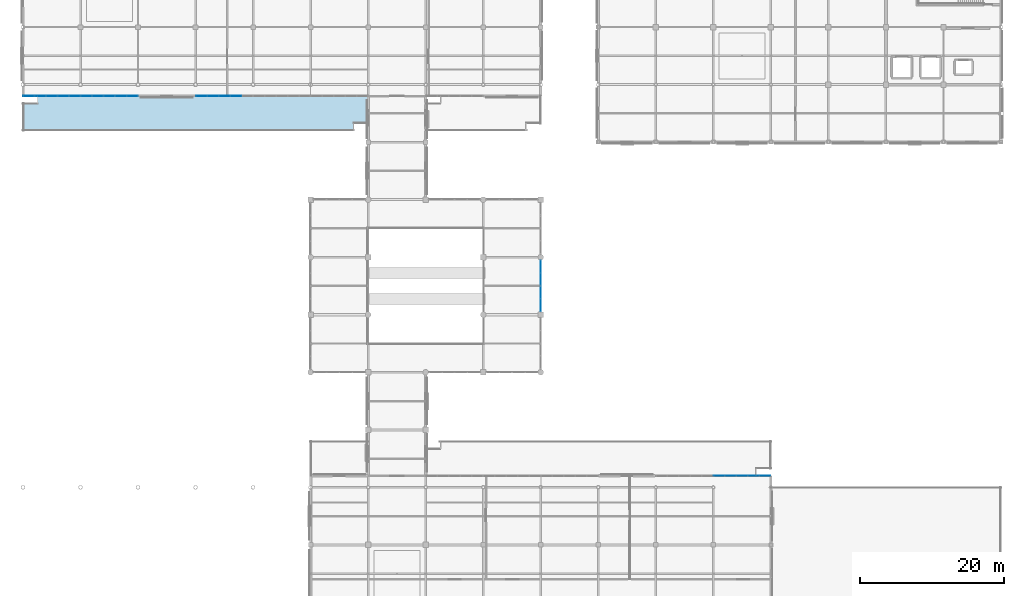
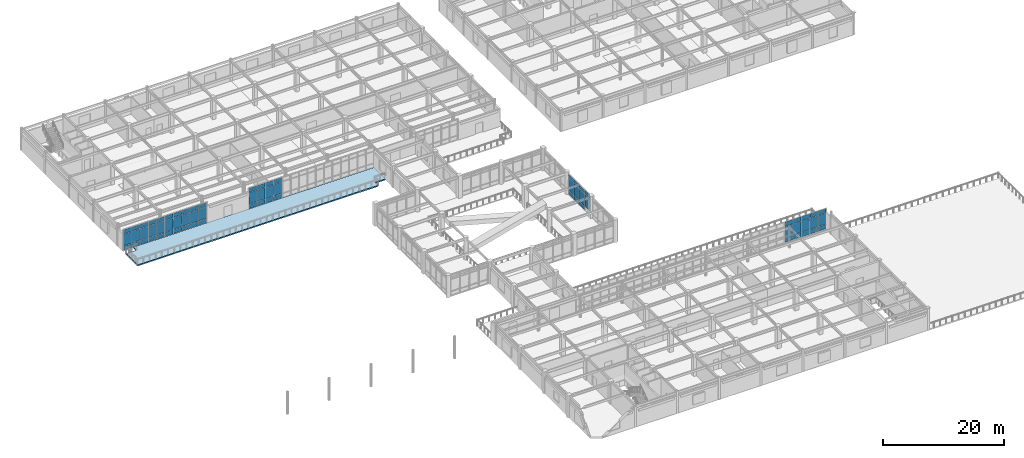
# One storey, part 53 of 93: 68 plates, 1 slab, 5 elements without a shape of their own.
"""IFC4 building model written with IfcOpenShell, lengths in metres."""

from ifc_helpers import new_model, si_unit, direction, frame, origin, origin_2d, place, context, subcontext, project, spatial, polyline, rectangle, outline, extrude, material, layer, layer_set, type_object, element, aggregate, save


model = new_model("IFC4")

# Units and contexts
model_context = context("Model", 3, precision=1e-05, world=origin(), true_north=direction((0.0, 1.0)))
body_context = subcontext(model_context, "Body", "Model", "MODEL_VIEW")
ifc_project = project(units=[si_unit("LENGTHUNIT", "METRE"), si_unit("AREAUNIT", "SQUARE_METRE"), si_unit("VOLUMEUNIT", "CUBIC_METRE"), si_unit("PLANEANGLEUNIT", "RADIAN"), si_unit("MASSUNIT", "GRAM", prefix="KILO")], contexts=[model_context])

# Site, building, storey
site_placement = place(None, origin())
site = spatial("IfcSite", under=ifc_project, at=site_placement, CompositionType="ELEMENT")
building_placement = place(site_placement, origin())
building = spatial("IfcBuilding", under=site, at=building_placement, Name="Solmirada Galleria", CompositionType="ELEMENT")
storey_placement = place(building_placement, frame((0.0, 0.0, 14.89990234375)))
storey = spatial("IfcBuildingStorey", under=building, at=storey_placement, Name="L03", CompositionType="ELEMENT", Elevation=14.89990234375)

# Curtain wall, plates
ifc_material_1 = material(Name="Impact-resistant low-E double glazing", Category="glass")
curtain_wall_type_1 = type_object("IfcCurtainWallType", Name="CW-FZ3-L03-B4-L072", PredefinedType="NOTDEFINED", material=ifc_material_1)
curtain_wall_1_placement = place(storey_placement, origin())
curtain_wall_1 = element("IfcCurtainWall", 1, at=curtain_wall_1_placement, inside=storey, type_object=curtain_wall_type_1, Name="Terrace and arcade storefront CW-L03-132", PredefinedType="NOTDEFINED")
ifc_layer_1 = layer(ifc_material_1, 0.028076171875)
ifc_layer_set_1 = layer_set([ifc_layer_1], Name="Impact-resistant low-E double glazing")
plate_type_1 = type_object("IfcPlateType", Name="CW-PNL-CW27-T28", PredefinedType="CURTAIN_PANEL", material=ifc_layer_set_1)
plate_1_placement = place(storey_placement, frame((112.0, 62.68359375, 0.06005859375), z_axis=(0.0, 0.0, 1.0), x_axis=(0.0, -1.0, 0.0)))
plate_1 = element("IfcPlate", 2, at=plate_1_placement, type_object=plate_type_1, Name="CW27 panel 1.1", PredefinedType="CURTAIN_PANEL", context=body_context, shape_type="SweptSolid", body=[
    extrude(rectangle(XDim=1.708984375, YDim=0.028076171875, at=origin_2d()), origin(), (0.0, 0.0, 1.0), 0.77001953125),
])
plate_2_placement = place(storey_placement, frame((112.0, 62.68359375, 0.89013671875), z_axis=(0.0, 0.0, 1.0), x_axis=(0.0, -1.0, 0.0)))
plate_2 = element("IfcPlate", 3, at=plate_2_placement, type_object=plate_type_1, Name="CW27 panel 1.2", PredefinedType="CURTAIN_PANEL", context=body_context, shape_type="SweptSolid", body=[
    extrude(rectangle(XDim=1.708984375, YDim=0.028076171875, at=origin_2d()), origin(), (0.0, 0.0, 1.0), 2.449951171875),
])
plate_3_placement = place(storey_placement, frame((112.0, 62.68359375, 3.39990234375), z_axis=(0.0, 0.0, 1.0), x_axis=(0.0, -1.0, 0.0)))
plate_3 = element("IfcPlate", 4, at=plate_3_placement, type_object=plate_type_1, Name="CW27 panel 1.3", PredefinedType="CURTAIN_PANEL", context=body_context, shape_type="SweptSolid", body=[
    extrude(rectangle(XDim=1.708984375, YDim=0.028076171875, at=origin_2d()), origin(), (0.0, 0.0, 1.0), 0.760009765625),
])
plate_4_placement = place(storey_placement, frame((112.0, 60.8994140625, 0.06005859375), z_axis=(0.0, 0.0, 1.0), x_axis=(0.0, -1.0, 0.0)))
plate_4 = element("IfcPlate", 5, at=plate_4_placement, type_object=plate_type_1, Name="CW27 panel 2.1", PredefinedType="CURTAIN_PANEL", context=body_context, shape_type="SweptSolid", body=[
    extrude(rectangle(XDim=1.739013671875, YDim=0.028076171875, at=origin_2d()), origin(), (0.0, 0.0, 1.0), 0.77001953125),
])
plate_5_placement = place(storey_placement, frame((112.0, 60.8994140625, 0.89013671875), z_axis=(0.0, 0.0, 1.0), x_axis=(0.0, -1.0, 0.0)))
plate_5 = element("IfcPlate", 6, at=plate_5_placement, type_object=plate_type_1, Name="CW27 panel 2.2", PredefinedType="CURTAIN_PANEL", context=body_context, shape_type="SweptSolid", body=[
    extrude(rectangle(XDim=1.739013671875, YDim=0.028076171875, at=origin_2d()), origin(), (0.0, 0.0, 1.0), 2.449951171875),
])
plate_6_placement = place(storey_placement, frame((112.0, 60.8994140625, 3.39990234375), z_axis=(0.0, 0.0, 1.0), x_axis=(0.0, -1.0, 0.0)))
plate_6 = element("IfcPlate", 7, at=plate_6_placement, type_object=plate_type_1, Name="CW27 panel 2.3", PredefinedType="CURTAIN_PANEL", context=body_context, shape_type="SweptSolid", body=[
    extrude(rectangle(XDim=1.739013671875, YDim=0.028076171875, at=origin_2d()), origin(), (0.0, 0.0, 1.0), 0.760009765625),
])
plate_7_placement = place(storey_placement, frame((112.0, 59.1005859375, 0.06005859375), z_axis=(0.0, 0.0, 1.0), x_axis=(0.0, -1.0, 0.0)))
plate_7 = element("IfcPlate", 8, at=plate_7_placement, type_object=plate_type_1, Name="CW27 panel 3.1", PredefinedType="CURTAIN_PANEL", context=body_context, shape_type="SweptSolid", body=[
    extrude(rectangle(XDim=1.739013671875, YDim=0.028076171875, at=origin_2d()), origin(), (0.0, 0.0, 1.0), 0.77001953125),
])
plate_8_placement = place(storey_placement, frame((112.0, 59.1005859375, 0.89013671875), z_axis=(0.0, 0.0, 1.0), x_axis=(0.0, -1.0, 0.0)))
plate_8 = element("IfcPlate", 9, at=plate_8_placement, type_object=plate_type_1, Name="CW27 panel 3.2", PredefinedType="CURTAIN_PANEL", context=body_context, shape_type="SweptSolid", body=[
    extrude(rectangle(XDim=1.739013671875, YDim=0.028076171875, at=origin_2d()), origin(), (0.0, 0.0, 1.0), 2.449951171875),
])
plate_9_placement = place(storey_placement, frame((112.0, 59.1005859375, 3.39990234375), z_axis=(0.0, 0.0, 1.0), x_axis=(0.0, -1.0, 0.0)))
plate_9 = element("IfcPlate", 10, at=plate_9_placement, type_object=plate_type_1, Name="CW27 panel 3.3", PredefinedType="CURTAIN_PANEL", context=body_context, shape_type="SweptSolid", body=[
    extrude(rectangle(XDim=1.739013671875, YDim=0.028076171875, at=origin_2d()), origin(), (0.0, 0.0, 1.0), 0.760009765625),
])
plate_10_placement = place(storey_placement, frame((112.0, 57.31640625, 0.89013671875), z_axis=(0.0, 0.0, 1.0), x_axis=(0.0, -1.0, 0.0)))
plate_10 = element("IfcPlate", 11, at=plate_10_placement, type_object=plate_type_1, Name="CW27 panel 4.2", PredefinedType="CURTAIN_PANEL", context=body_context, shape_type="SweptSolid", body=[
    extrude(rectangle(XDim=1.708984375, YDim=0.028076171875, at=origin_2d()), origin(), (0.0, 0.0, 1.0), 2.449951171875),
])
plate_11_placement = place(storey_placement, frame((112.0, 57.31640625, 3.39990234375), z_axis=(0.0, 0.0, 1.0), x_axis=(0.0, -1.0, 0.0)))
plate_11 = element("IfcPlate", 12, at=plate_11_placement, type_object=plate_type_1, Name="CW27 panel 4.3", PredefinedType="CURTAIN_PANEL", context=body_context, shape_type="SweptSolid", body=[
    extrude(rectangle(XDim=1.708984375, YDim=0.028076171875, at=origin_2d()), origin(), (0.0, 0.0, 1.0), 0.760009765625),
])
aggregate(curtain_wall_1, [plate_1, plate_2, plate_3, plate_4, plate_5, plate_6, plate_7, plate_8, plate_9, plate_10, plate_11])

curtain_wall_type_2 = type_object("IfcCurtainWallType", Name="CW-FZ4-L03-B5-L080", PredefinedType="NOTDEFINED", material=ifc_material_1)
curtain_wall_2_placement = place(storey_placement, origin())
curtain_wall_2 = element("IfcCurtainWall", 13, at=curtain_wall_2_placement, inside=storey, type_object=curtain_wall_type_2, Name="Terrace and arcade storefront CW-L03-125", PredefinedType="NOTDEFINED")
ifc_material_2 = material(Name="Ceramic-fritted spandrel glass", Category="glass")
ifc_layer_2 = layer(ifc_material_2, 0.035888671875)
ifc_layer_set_2 = layer_set([ifc_layer_2], Name="Ceramic-fritted spandrel glass")
plate_type_2 = type_object("IfcPlateType", Name="CW-PNL-CW28-T36", PredefinedType="CURTAIN_PANEL", material=ifc_layer_set_2)
plate_12_placement = place(storey_placement, frame((69.60009765625, 86.39990234375, 0.06005859375), z_axis=(0.0, 0.0, 1.0), x_axis=(-1.0, 0.0, 0.0)))
plate_12 = element("IfcPlate", 14, at=plate_12_placement, type_object=plate_type_2, Name="CW28 panel 2.1", PredefinedType="CURTAIN_PANEL", context=body_context, shape_type="SweptSolid", body=[
    extrude(rectangle(XDim=1.5400390625, YDim=0.035888671875, at=origin_2d()), origin(), (0.0, 0.0, 1.0), 0.830078125),
])
plate_13_placement = place(storey_placement, frame((69.60009765625, 86.39990234375, 0.9501953125), z_axis=(0.0, 0.0, 1.0), x_axis=(-1.0, 0.0, 0.0)))
plate_13 = element("IfcPlate", 15, at=plate_13_placement, type_object=plate_type_2, Name="CW28 panel 2.2", PredefinedType="CURTAIN_PANEL", context=body_context, shape_type="SweptSolid", body=[
    extrude(rectangle(XDim=1.5400390625, YDim=0.035888671875, at=origin_2d()), origin(), (0.0, 0.0, 1.0), 2.340087890625),
])
plate_14_placement = place(storey_placement, frame((69.60009765625, 86.39990234375, 3.35009765625), z_axis=(0.0, 0.0, 1.0), x_axis=(-1.0, 0.0, 0.0)))
plate_14 = element("IfcPlate", 16, at=plate_14_placement, type_object=plate_type_2, Name="CW28 panel 2.3", PredefinedType="CURTAIN_PANEL", context=body_context, shape_type="SweptSolid", body=[
    extrude(rectangle(XDim=1.5400390625, YDim=0.035888671875, at=origin_2d()), origin(), (0.0, 0.0, 1.0), 0.81005859375),
])
plate_15_placement = place(storey_placement, frame((68.0, 86.39990234375, 0.06005859375), z_axis=(0.0, 0.0, 1.0), x_axis=(-1.0, 0.0, 0.0)))
plate_15 = element("IfcPlate", 17, at=plate_15_placement, type_object=plate_type_2, Name="CW28 panel 3.1", PredefinedType="CURTAIN_PANEL", context=body_context, shape_type="SweptSolid", body=[
    extrude(rectangle(XDim=1.5400390625, YDim=0.035888671875, at=origin_2d()), origin(), (0.0, 0.0, 1.0), 0.830078125),
])
plate_16_placement = place(storey_placement, frame((68.0, 86.39990234375, 0.9501953125), z_axis=(0.0, 0.0, 1.0), x_axis=(-1.0, 0.0, 0.0)))
plate_16 = element("IfcPlate", 18, at=plate_16_placement, type_object=plate_type_2, Name="CW28 panel 3.2", PredefinedType="CURTAIN_PANEL", context=body_context, shape_type="SweptSolid", body=[
    extrude(rectangle(XDim=1.5400390625, YDim=0.035888671875, at=origin_2d()), origin(), (0.0, 0.0, 1.0), 2.340087890625),
])
plate_17_placement = place(storey_placement, frame((68.0, 86.39990234375, 3.35009765625), z_axis=(0.0, 0.0, 1.0), x_axis=(-1.0, 0.0, 0.0)))
plate_17 = element("IfcPlate", 19, at=plate_17_placement, type_object=plate_type_2, Name="CW28 panel 3.3", PredefinedType="CURTAIN_PANEL", context=body_context, shape_type="SweptSolid", body=[
    extrude(rectangle(XDim=1.5400390625, YDim=0.035888671875, at=origin_2d()), origin(), (0.0, 0.0, 1.0), 0.81005859375),
])
plate_18_placement = place(storey_placement, frame((66.39990234375, 86.39990234375, 0.06005859375), z_axis=(0.0, 0.0, 1.0), x_axis=(-1.0, 0.0, 0.0)))
plate_18 = element("IfcPlate", 20, at=plate_18_placement, type_object=plate_type_2, Name="CW28 panel 4.1", PredefinedType="CURTAIN_PANEL", context=body_context, shape_type="SweptSolid", body=[
    extrude(rectangle(XDim=1.5400390625, YDim=0.035888671875, at=origin_2d()), origin(), (0.0, 0.0, 1.0), 0.830078125),
])
plate_19_placement = place(storey_placement, frame((66.39990234375, 86.39990234375, 0.9501953125), z_axis=(0.0, 0.0, 1.0), x_axis=(-1.0, 0.0, 0.0)))
plate_19 = element("IfcPlate", 21, at=plate_19_placement, type_object=plate_type_2, Name="CW28 panel 4.2", PredefinedType="CURTAIN_PANEL", context=body_context, shape_type="SweptSolid", body=[
    extrude(rectangle(XDim=1.5400390625, YDim=0.035888671875, at=origin_2d()), origin(), (0.0, 0.0, 1.0), 2.340087890625),
])
plate_20_placement = place(storey_placement, frame((66.39990234375, 86.39990234375, 3.35009765625), z_axis=(0.0, 0.0, 1.0), x_axis=(-1.0, 0.0, 0.0)))
plate_20 = element("IfcPlate", 22, at=plate_20_placement, type_object=plate_type_2, Name="CW28 panel 4.3", PredefinedType="CURTAIN_PANEL", context=body_context, shape_type="SweptSolid", body=[
    extrude(rectangle(XDim=1.5400390625, YDim=0.035888671875, at=origin_2d()), origin(), (0.0, 0.0, 1.0), 0.81005859375),
])
plate_21_placement = place(storey_placement, frame((64.81494140625, 86.39990234375, 0.06005859375), z_axis=(0.0, 0.0, 1.0), x_axis=(-1.0, 0.0, 0.0)))
plate_21 = element("IfcPlate", 23, at=plate_21_placement, type_object=plate_type_2, Name="CW28 panel 5.1", PredefinedType="CURTAIN_PANEL", context=body_context, shape_type="SweptSolid", body=[
    extrude(rectangle(XDim=1.510009765625, YDim=0.035888671875, at=origin_2d()), origin(), (0.0, 0.0, 1.0), 0.830078125),
])
plate_22_placement = place(storey_placement, frame((64.81494140625, 86.39990234375, 0.9501953125), z_axis=(0.0, 0.0, 1.0), x_axis=(-1.0, 0.0, 0.0)))
plate_22 = element("IfcPlate", 24, at=plate_22_placement, type_object=plate_type_2, Name="CW28 panel 5.2", PredefinedType="CURTAIN_PANEL", context=body_context, shape_type="SweptSolid", body=[
    extrude(rectangle(XDim=1.510009765625, YDim=0.035888671875, at=origin_2d()), origin(), (0.0, 0.0, 1.0), 2.340087890625),
])
plate_23_placement = place(storey_placement, frame((64.81494140625, 86.39990234375, 3.35009765625), z_axis=(0.0, 0.0, 1.0), x_axis=(-1.0, 0.0, 0.0)))
plate_23 = element("IfcPlate", 25, at=plate_23_placement, type_object=plate_type_2, Name="CW28 panel 5.3", PredefinedType="CURTAIN_PANEL", context=body_context, shape_type="SweptSolid", body=[
    extrude(rectangle(XDim=1.510009765625, YDim=0.035888671875, at=origin_2d()), origin(), (0.0, 0.0, 1.0), 0.81005859375),
])
aggregate(curtain_wall_2, [plate_12, plate_13, plate_14, plate_15, plate_16, plate_17, plate_18, plate_19, plate_20, plate_21, plate_22, plate_23])

curtain_wall_3_placement = place(storey_placement, origin())
curtain_wall_3 = element("IfcCurtainWall", 26, at=curtain_wall_3_placement, inside=storey, type_object=curtain_wall_type_2, Name="Terrace and arcade storefront CW-L03-126", PredefinedType="NOTDEFINED")
plate_24_placement = place(storey_placement, frame((55.18505859375, 86.39990234375, 0.06005859375), z_axis=(0.0, 0.0, 1.0), x_axis=(-1.0, 0.0, 0.0)))
plate_24 = element("IfcPlate", 27, at=plate_24_placement, type_object=plate_type_2, Name="CW28 panel 1.1", PredefinedType="CURTAIN_PANEL", context=body_context, shape_type="SweptSolid", body=[
    extrude(rectangle(XDim=1.510009765625, YDim=0.035888671875, at=origin_2d()), origin(), (0.0, 0.0, 1.0), 0.830078125),
])
plate_25_placement = place(storey_placement, frame((55.18505859375, 86.39990234375, 0.9501953125), z_axis=(0.0, 0.0, 1.0), x_axis=(-1.0, 0.0, 0.0)))
plate_25 = element("IfcPlate", 28, at=plate_25_placement, type_object=plate_type_2, Name="CW28 panel 1.2", PredefinedType="CURTAIN_PANEL", context=body_context, shape_type="SweptSolid", body=[
    extrude(rectangle(XDim=1.510009765625, YDim=0.035888671875, at=origin_2d()), origin(), (0.0, 0.0, 1.0), 2.340087890625),
])
plate_26_placement = place(storey_placement, frame((55.18505859375, 86.39990234375, 3.35009765625), z_axis=(0.0, 0.0, 1.0), x_axis=(-1.0, 0.0, 0.0)))
plate_26 = element("IfcPlate", 29, at=plate_26_placement, type_object=plate_type_2, Name="CW28 panel 1.3", PredefinedType="CURTAIN_PANEL", context=body_context, shape_type="SweptSolid", body=[
    extrude(rectangle(XDim=1.510009765625, YDim=0.035888671875, at=origin_2d()), origin(), (0.0, 0.0, 1.0), 0.81005859375),
])
plate_27_placement = place(storey_placement, frame((53.60009765625, 86.39990234375, 0.06005859375), z_axis=(0.0, 0.0, 1.0), x_axis=(-1.0, 0.0, 0.0)))
plate_27 = element("IfcPlate", 30, at=plate_27_placement, type_object=plate_type_2, Name="CW28 panel 2.1", PredefinedType="CURTAIN_PANEL", context=body_context, shape_type="SweptSolid", body=[
    extrude(rectangle(XDim=1.5400390625, YDim=0.035888671875, at=origin_2d()), origin(), (0.0, 0.0, 1.0), 0.830078125),
])
plate_28_placement = place(storey_placement, frame((53.60009765625, 86.39990234375, 0.9501953125), z_axis=(0.0, 0.0, 1.0), x_axis=(-1.0, 0.0, 0.0)))
plate_28 = element("IfcPlate", 31, at=plate_28_placement, type_object=plate_type_2, Name="CW28 panel 2.2", PredefinedType="CURTAIN_PANEL", context=body_context, shape_type="SweptSolid", body=[
    extrude(rectangle(XDim=1.5400390625, YDim=0.035888671875, at=origin_2d()), origin(), (0.0, 0.0, 1.0), 2.340087890625),
])
plate_29_placement = place(storey_placement, frame((53.60009765625, 86.39990234375, 3.35009765625), z_axis=(0.0, 0.0, 1.0), x_axis=(-1.0, 0.0, 0.0)))
plate_29 = element("IfcPlate", 32, at=plate_29_placement, type_object=plate_type_2, Name="CW28 panel 2.3", PredefinedType="CURTAIN_PANEL", context=body_context, shape_type="SweptSolid", body=[
    extrude(rectangle(XDim=1.5400390625, YDim=0.035888671875, at=origin_2d()), origin(), (0.0, 0.0, 1.0), 0.81005859375),
])
plate_30_placement = place(storey_placement, frame((52.0, 86.39990234375, 0.06005859375), z_axis=(0.0, 0.0, 1.0), x_axis=(-1.0, 0.0, 0.0)))
plate_30 = element("IfcPlate", 33, at=plate_30_placement, type_object=plate_type_2, Name="CW28 panel 3.1", PredefinedType="CURTAIN_PANEL", context=body_context, shape_type="SweptSolid", body=[
    extrude(rectangle(XDim=1.5400390625, YDim=0.035888671875, at=origin_2d()), origin(), (0.0, 0.0, 1.0), 0.830078125),
])
plate_31_placement = place(storey_placement, frame((52.0, 86.39990234375, 0.9501953125), z_axis=(0.0, 0.0, 1.0), x_axis=(-1.0, 0.0, 0.0)))
plate_31 = element("IfcPlate", 34, at=plate_31_placement, type_object=plate_type_2, Name="CW28 panel 3.2", PredefinedType="CURTAIN_PANEL", context=body_context, shape_type="SweptSolid", body=[
    extrude(rectangle(XDim=1.5400390625, YDim=0.035888671875, at=origin_2d()), origin(), (0.0, 0.0, 1.0), 2.340087890625),
])
plate_32_placement = place(storey_placement, frame((52.0, 86.39990234375, 3.35009765625), z_axis=(0.0, 0.0, 1.0), x_axis=(-1.0, 0.0, 0.0)))
plate_32 = element("IfcPlate", 35, at=plate_32_placement, type_object=plate_type_2, Name="CW28 panel 3.3", PredefinedType="CURTAIN_PANEL", context=body_context, shape_type="SweptSolid", body=[
    extrude(rectangle(XDim=1.5400390625, YDim=0.035888671875, at=origin_2d()), origin(), (0.0, 0.0, 1.0), 0.81005859375),
])
plate_33_placement = place(storey_placement, frame((50.39990234375, 86.39990234375, 0.06005859375), z_axis=(0.0, 0.0, 1.0), x_axis=(-1.0, 0.0, 0.0)))
plate_33 = element("IfcPlate", 36, at=plate_33_placement, type_object=plate_type_2, Name="CW28 panel 4.1", PredefinedType="CURTAIN_PANEL", context=body_context, shape_type="SweptSolid", body=[
    extrude(rectangle(XDim=1.5400390625, YDim=0.035888671875, at=origin_2d()), origin(), (0.0, 0.0, 1.0), 0.830078125),
])
plate_34_placement = place(storey_placement, frame((50.39990234375, 86.39990234375, 0.9501953125), z_axis=(0.0, 0.0, 1.0), x_axis=(-1.0, 0.0, 0.0)))
plate_34 = element("IfcPlate", 37, at=plate_34_placement, type_object=plate_type_2, Name="CW28 panel 4.2", PredefinedType="CURTAIN_PANEL", context=body_context, shape_type="SweptSolid", body=[
    extrude(rectangle(XDim=1.5400390625, YDim=0.035888671875, at=origin_2d()), origin(), (0.0, 0.0, 1.0), 2.340087890625),
])
plate_35_placement = place(storey_placement, frame((50.39990234375, 86.39990234375, 3.35009765625), z_axis=(0.0, 0.0, 1.0), x_axis=(-1.0, 0.0, 0.0)))
plate_35 = element("IfcPlate", 38, at=plate_35_placement, type_object=plate_type_2, Name="CW28 panel 4.3", PredefinedType="CURTAIN_PANEL", context=body_context, shape_type="SweptSolid", body=[
    extrude(rectangle(XDim=1.5400390625, YDim=0.035888671875, at=origin_2d()), origin(), (0.0, 0.0, 1.0), 0.81005859375),
])
plate_36_placement = place(storey_placement, frame((48.81494140625, 86.39990234375, 0.06005859375), z_axis=(0.0, 0.0, 1.0), x_axis=(-1.0, 0.0, 0.0)))
plate_36 = element("IfcPlate", 39, at=plate_36_placement, type_object=plate_type_2, Name="CW28 panel 5.1", PredefinedType="CURTAIN_PANEL", context=body_context, shape_type="SweptSolid", body=[
    extrude(rectangle(XDim=1.510009765625, YDim=0.035888671875, at=origin_2d()), origin(), (0.0, 0.0, 1.0), 0.830078125),
])
plate_37_placement = place(storey_placement, frame((48.81494140625, 86.39990234375, 0.9501953125), z_axis=(0.0, 0.0, 1.0), x_axis=(-1.0, 0.0, 0.0)))
plate_37 = element("IfcPlate", 40, at=plate_37_placement, type_object=plate_type_2, Name="CW28 panel 5.2", PredefinedType="CURTAIN_PANEL", context=body_context, shape_type="SweptSolid", body=[
    extrude(rectangle(XDim=1.510009765625, YDim=0.035888671875, at=origin_2d()), origin(), (0.0, 0.0, 1.0), 2.340087890625),
])
plate_38_placement = place(storey_placement, frame((48.81494140625, 86.39990234375, 3.35009765625), z_axis=(0.0, 0.0, 1.0), x_axis=(-1.0, 0.0, 0.0)))
plate_38 = element("IfcPlate", 41, at=plate_38_placement, type_object=plate_type_2, Name="CW28 panel 5.3", PredefinedType="CURTAIN_PANEL", context=body_context, shape_type="SweptSolid", body=[
    extrude(rectangle(XDim=1.510009765625, YDim=0.035888671875, at=origin_2d()), origin(), (0.0, 0.0, 1.0), 0.81005859375),
])
aggregate(curtain_wall_3, [plate_24, plate_25, plate_26, plate_27, plate_28, plate_29, plate_30, plate_31, plate_32, plate_33, plate_34, plate_35, plate_36, plate_37, plate_38])

curtain_wall_4_placement = place(storey_placement, origin())
curtain_wall_4 = element("IfcCurtainWall", 42, at=curtain_wall_4_placement, inside=storey, type_object=curtain_wall_type_2, Name="Terrace and arcade storefront CW-L03-127", PredefinedType="NOTDEFINED")
plate_39_placement = place(storey_placement, frame((47.18505859375, 86.39990234375, 0.06005859375), z_axis=(0.0, 0.0, 1.0), x_axis=(-1.0, 0.0, 0.0)))
plate_39 = element("IfcPlate", 43, at=plate_39_placement, type_object=plate_type_2, Name="CW28 panel 1.1", PredefinedType="CURTAIN_PANEL", context=body_context, shape_type="SweptSolid", body=[
    extrude(rectangle(XDim=1.510009765625, YDim=0.035888671875, at=origin_2d()), origin(), (0.0, 0.0, 1.0), 0.830078125),
])
plate_40_placement = place(storey_placement, frame((47.18505859375, 86.39990234375, 0.9501953125), z_axis=(0.0, 0.0, 1.0), x_axis=(-1.0, 0.0, 0.0)))
plate_40 = element("IfcPlate", 44, at=plate_40_placement, type_object=plate_type_2, Name="CW28 panel 1.2", PredefinedType="CURTAIN_PANEL", context=body_context, shape_type="SweptSolid", body=[
    extrude(rectangle(XDim=1.510009765625, YDim=0.035888671875, at=origin_2d()), origin(), (0.0, 0.0, 1.0), 2.340087890625),
])
plate_41_placement = place(storey_placement, frame((47.18505859375, 86.39990234375, 3.35009765625), z_axis=(0.0, 0.0, 1.0), x_axis=(-1.0, 0.0, 0.0)))
plate_41 = element("IfcPlate", 45, at=plate_41_placement, type_object=plate_type_2, Name="CW28 panel 1.3", PredefinedType="CURTAIN_PANEL", context=body_context, shape_type="SweptSolid", body=[
    extrude(rectangle(XDim=1.510009765625, YDim=0.035888671875, at=origin_2d()), origin(), (0.0, 0.0, 1.0), 0.81005859375),
])
plate_42_placement = place(storey_placement, frame((45.60009765625, 86.39990234375, 0.06005859375), z_axis=(0.0, 0.0, 1.0), x_axis=(-1.0, 0.0, 0.0)))
plate_42 = element("IfcPlate", 46, at=plate_42_placement, type_object=plate_type_2, Name="CW28 panel 2.1", PredefinedType="CURTAIN_PANEL", context=body_context, shape_type="SweptSolid", body=[
    extrude(rectangle(XDim=1.5400390625, YDim=0.035888671875, at=origin_2d()), origin(), (0.0, 0.0, 1.0), 0.830078125),
])
plate_43_placement = place(storey_placement, frame((45.60009765625, 86.39990234375, 0.9501953125), z_axis=(0.0, 0.0, 1.0), x_axis=(-1.0, 0.0, 0.0)))
plate_43 = element("IfcPlate", 47, at=plate_43_placement, type_object=plate_type_2, Name="CW28 panel 2.2", PredefinedType="CURTAIN_PANEL", context=body_context, shape_type="SweptSolid", body=[
    extrude(rectangle(XDim=1.5400390625, YDim=0.035888671875, at=origin_2d()), origin(), (0.0, 0.0, 1.0), 2.340087890625),
])
plate_44_placement = place(storey_placement, frame((45.60009765625, 86.39990234375, 3.35009765625), z_axis=(0.0, 0.0, 1.0), x_axis=(-1.0, 0.0, 0.0)))
plate_44 = element("IfcPlate", 48, at=plate_44_placement, type_object=plate_type_2, Name="CW28 panel 2.3", PredefinedType="CURTAIN_PANEL", context=body_context, shape_type="SweptSolid", body=[
    extrude(rectangle(XDim=1.5400390625, YDim=0.035888671875, at=origin_2d()), origin(), (0.0, 0.0, 1.0), 0.81005859375),
])
plate_45_placement = place(storey_placement, frame((44.0, 86.39990234375, 0.06005859375), z_axis=(0.0, 0.0, 1.0), x_axis=(-1.0, 0.0, 0.0)))
plate_45 = element("IfcPlate", 49, at=plate_45_placement, type_object=plate_type_2, Name="CW28 panel 3.1", PredefinedType="CURTAIN_PANEL", context=body_context, shape_type="SweptSolid", body=[
    extrude(rectangle(XDim=1.5400390625, YDim=0.035888671875, at=origin_2d()), origin(), (0.0, 0.0, 1.0), 0.830078125),
])
plate_46_placement = place(storey_placement, frame((44.0, 86.39990234375, 0.9501953125), z_axis=(0.0, 0.0, 1.0), x_axis=(-1.0, 0.0, 0.0)))
plate_46 = element("IfcPlate", 50, at=plate_46_placement, type_object=plate_type_2, Name="CW28 panel 3.2", PredefinedType="CURTAIN_PANEL", context=body_context, shape_type="SweptSolid", body=[
    extrude(rectangle(XDim=1.5400390625, YDim=0.035888671875, at=origin_2d()), origin(), (0.0, 0.0, 1.0), 2.340087890625),
])
plate_47_placement = place(storey_placement, frame((44.0, 86.39990234375, 3.35009765625), z_axis=(0.0, 0.0, 1.0), x_axis=(-1.0, 0.0, 0.0)))
plate_47 = element("IfcPlate", 51, at=plate_47_placement, type_object=plate_type_2, Name="CW28 panel 3.3", PredefinedType="CURTAIN_PANEL", context=body_context, shape_type="SweptSolid", body=[
    extrude(rectangle(XDim=1.5400390625, YDim=0.035888671875, at=origin_2d()), origin(), (0.0, 0.0, 1.0), 0.81005859375),
])
plate_48_placement = place(storey_placement, frame((42.39990234375, 86.39990234375, 0.06005859375), z_axis=(0.0, 0.0, 1.0), x_axis=(-1.0, 0.0, 0.0)))
plate_48 = element("IfcPlate", 52, at=plate_48_placement, type_object=plate_type_2, Name="CW28 panel 4.1", PredefinedType="CURTAIN_PANEL", context=body_context, shape_type="SweptSolid", body=[
    extrude(rectangle(XDim=1.5400390625, YDim=0.035888671875, at=origin_2d()), origin(), (0.0, 0.0, 1.0), 0.830078125),
])
plate_49_placement = place(storey_placement, frame((42.39990234375, 86.39990234375, 0.9501953125), z_axis=(0.0, 0.0, 1.0), x_axis=(-1.0, 0.0, 0.0)))
plate_49 = element("IfcPlate", 53, at=plate_49_placement, type_object=plate_type_2, Name="CW28 panel 4.2", PredefinedType="CURTAIN_PANEL", context=body_context, shape_type="SweptSolid", body=[
    extrude(rectangle(XDim=1.5400390625, YDim=0.035888671875, at=origin_2d()), origin(), (0.0, 0.0, 1.0), 2.340087890625),
])
plate_50_placement = place(storey_placement, frame((42.39990234375, 86.39990234375, 3.35009765625), z_axis=(0.0, 0.0, 1.0), x_axis=(-1.0, 0.0, 0.0)))
plate_50 = element("IfcPlate", 54, at=plate_50_placement, type_object=plate_type_2, Name="CW28 panel 4.3", PredefinedType="CURTAIN_PANEL", context=body_context, shape_type="SweptSolid", body=[
    extrude(rectangle(XDim=1.5400390625, YDim=0.035888671875, at=origin_2d()), origin(), (0.0, 0.0, 1.0), 0.81005859375),
])
plate_51_placement = place(storey_placement, frame((40.81494140625, 86.39990234375, 0.06005859375), z_axis=(0.0, 0.0, 1.0), x_axis=(-1.0, 0.0, 0.0)))
plate_51 = element("IfcPlate", 55, at=plate_51_placement, type_object=plate_type_2, Name="CW28 panel 5.1", PredefinedType="CURTAIN_PANEL", context=body_context, shape_type="SweptSolid", body=[
    extrude(rectangle(XDim=1.510009765625, YDim=0.035888671875, at=origin_2d()), origin(), (0.0, 0.0, 1.0), 0.830078125),
])
plate_52_placement = place(storey_placement, frame((40.81494140625, 86.39990234375, 0.9501953125), z_axis=(0.0, 0.0, 1.0), x_axis=(-1.0, 0.0, 0.0)))
plate_52 = element("IfcPlate", 56, at=plate_52_placement, type_object=plate_type_2, Name="CW28 panel 5.2", PredefinedType="CURTAIN_PANEL", context=body_context, shape_type="SweptSolid", body=[
    extrude(rectangle(XDim=1.510009765625, YDim=0.035888671875, at=origin_2d()), origin(), (0.0, 0.0, 1.0), 2.340087890625),
])
plate_53_placement = place(storey_placement, frame((40.81494140625, 86.39990234375, 3.35009765625), z_axis=(0.0, 0.0, 1.0), x_axis=(-1.0, 0.0, 0.0)))
plate_53 = element("IfcPlate", 57, at=plate_53_placement, type_object=plate_type_2, Name="CW28 panel 5.3", PredefinedType="CURTAIN_PANEL", context=body_context, shape_type="SweptSolid", body=[
    extrude(rectangle(XDim=1.510009765625, YDim=0.035888671875, at=origin_2d()), origin(), (0.0, 0.0, 1.0), 0.81005859375),
])
aggregate(curtain_wall_4, [plate_39, plate_40, plate_41, plate_42, plate_43, plate_44, plate_45, plate_46, plate_47, plate_48, plate_49, plate_50, plate_51, plate_52, plate_53])

curtain_wall_type_3 = type_object("IfcCurtainWallType", Name="CW-FZ5-L03-B5-L080", PredefinedType="NOTDEFINED", material=ifc_material_1)
curtain_wall_5_placement = place(storey_placement, origin())
curtain_wall_5 = element("IfcCurtainWall", 58, at=curtain_wall_5_placement, inside=storey, type_object=curtain_wall_type_3, Name="Terrace and arcade storefront CW-L03-140", PredefinedType="NOTDEFINED")
ifc_layer_3 = layer(ifc_material_2, 0.0419921875)
ifc_layer_set_3 = layer_set([ifc_layer_3], Name="Ceramic-fritted spandrel glass")
plate_type_3 = type_object("IfcPlateType", Name="CW-PNL-CW29-T42", PredefinedType="CURTAIN_PANEL", material=ifc_layer_set_3)
plate_54_placement = place(storey_placement, frame((136.81494140625, 33.60009765625, 0.06005859375), z_axis=(0.0, 0.0, 1.0), x_axis=(1.0, 0.0, 0.0)))
plate_54 = element("IfcPlate", 59, at=plate_54_placement, type_object=plate_type_3, Name="CW29 panel 1.1", PredefinedType="CURTAIN_PANEL", context=body_context, shape_type="SweptSolid", body=[
    extrude(rectangle(XDim=1.510009765625, YDim=0.0419921875, at=origin_2d()), origin(), (0.0, 0.0, 1.0), 0.889892578125),
])
plate_55_placement = place(storey_placement, frame((136.81494140625, 33.60009765625, 1.010009765625), z_axis=(0.0, 0.0, 1.0), x_axis=(1.0, 0.0, 0.0)))
plate_55 = element("IfcPlate", 60, at=plate_55_placement, type_object=plate_type_3, Name="CW29 panel 1.2", PredefinedType="CURTAIN_PANEL", context=body_context, shape_type="SweptSolid", body=[
    extrude(rectangle(XDim=1.510009765625, YDim=0.0419921875, at=origin_2d()), origin(), (0.0, 0.0, 1.0), 2.22998046875),
])
plate_56_placement = place(storey_placement, frame((136.81494140625, 33.60009765625, 3.2998046875), z_axis=(0.0, 0.0, 1.0), x_axis=(1.0, 0.0, 0.0)))
plate_56 = element("IfcPlate", 61, at=plate_56_placement, type_object=plate_type_3, Name="CW29 panel 1.3", PredefinedType="CURTAIN_PANEL", context=body_context, shape_type="SweptSolid", body=[
    extrude(rectangle(XDim=1.510009765625, YDim=0.0419921875, at=origin_2d()), origin(), (0.0, 0.0, 1.0), 0.860107421875),
])
plate_57_placement = place(storey_placement, frame((138.39990234375, 33.60009765625, 0.06005859375), z_axis=(0.0, 0.0, 1.0), x_axis=(1.0, 0.0, 0.0)))
plate_57 = element("IfcPlate", 62, at=plate_57_placement, type_object=plate_type_3, Name="CW29 panel 2.1", PredefinedType="CURTAIN_PANEL", context=body_context, shape_type="SweptSolid", body=[
    extrude(rectangle(XDim=1.5400390625, YDim=0.0419921875, at=origin_2d()), origin(), (0.0, 0.0, 1.0), 0.889892578125),
])
plate_58_placement = place(storey_placement, frame((138.39990234375, 33.60009765625, 1.010009765625), z_axis=(0.0, 0.0, 1.0), x_axis=(1.0, 0.0, 0.0)))
plate_58 = element("IfcPlate", 63, at=plate_58_placement, type_object=plate_type_3, Name="CW29 panel 2.2", PredefinedType="CURTAIN_PANEL", context=body_context, shape_type="SweptSolid", body=[
    extrude(rectangle(XDim=1.5400390625, YDim=0.0419921875, at=origin_2d()), origin(), (0.0, 0.0, 1.0), 2.22998046875),
])
plate_59_placement = place(storey_placement, frame((138.39990234375, 33.60009765625, 3.2998046875), z_axis=(0.0, 0.0, 1.0), x_axis=(1.0, 0.0, 0.0)))
plate_59 = element("IfcPlate", 64, at=plate_59_placement, type_object=plate_type_3, Name="CW29 panel 2.3", PredefinedType="CURTAIN_PANEL", context=body_context, shape_type="SweptSolid", body=[
    extrude(rectangle(XDim=1.5400390625, YDim=0.0419921875, at=origin_2d()), origin(), (0.0, 0.0, 1.0), 0.860107421875),
])
plate_60_placement = place(storey_placement, frame((140.0, 33.60009765625, 0.06005859375), z_axis=(0.0, 0.0, 1.0), x_axis=(1.0, 0.0, 0.0)))
plate_60 = element("IfcPlate", 65, at=plate_60_placement, type_object=plate_type_3, Name="CW29 panel 3.1", PredefinedType="CURTAIN_PANEL", context=body_context, shape_type="SweptSolid", body=[
    extrude(rectangle(XDim=1.5400390625, YDim=0.0419921875, at=origin_2d()), origin(), (0.0, 0.0, 1.0), 0.889892578125),
])
plate_61_placement = place(storey_placement, frame((140.0, 33.60009765625, 1.010009765625), z_axis=(0.0, 0.0, 1.0), x_axis=(1.0, 0.0, 0.0)))
plate_61 = element("IfcPlate", 66, at=plate_61_placement, type_object=plate_type_3, Name="CW29 panel 3.2", PredefinedType="CURTAIN_PANEL", context=body_context, shape_type="SweptSolid", body=[
    extrude(rectangle(XDim=1.5400390625, YDim=0.0419921875, at=origin_2d()), origin(), (0.0, 0.0, 1.0), 2.22998046875),
])
plate_62_placement = place(storey_placement, frame((140.0, 33.60009765625, 3.2998046875), z_axis=(0.0, 0.0, 1.0), x_axis=(1.0, 0.0, 0.0)))
plate_62 = element("IfcPlate", 67, at=plate_62_placement, type_object=plate_type_3, Name="CW29 panel 3.3", PredefinedType="CURTAIN_PANEL", context=body_context, shape_type="SweptSolid", body=[
    extrude(rectangle(XDim=1.5400390625, YDim=0.0419921875, at=origin_2d()), origin(), (0.0, 0.0, 1.0), 0.860107421875),
])
plate_63_placement = place(storey_placement, frame((141.60009765625, 33.60009765625, 0.06005859375), z_axis=(0.0, 0.0, 1.0), x_axis=(1.0, 0.0, 0.0)))
plate_63 = element("IfcPlate", 68, at=plate_63_placement, type_object=plate_type_3, Name="CW29 panel 4.1", PredefinedType="CURTAIN_PANEL", context=body_context, shape_type="SweptSolid", body=[
    extrude(rectangle(XDim=1.5400390625, YDim=0.0419921875, at=origin_2d()), origin(), (0.0, 0.0, 1.0), 0.889892578125),
])
plate_64_placement = place(storey_placement, frame((141.60009765625, 33.60009765625, 1.010009765625), z_axis=(0.0, 0.0, 1.0), x_axis=(1.0, 0.0, 0.0)))
plate_64 = element("IfcPlate", 69, at=plate_64_placement, type_object=plate_type_3, Name="CW29 panel 4.2", PredefinedType="CURTAIN_PANEL", context=body_context, shape_type="SweptSolid", body=[
    extrude(rectangle(XDim=1.5400390625, YDim=0.0419921875, at=origin_2d()), origin(), (0.0, 0.0, 1.0), 2.22998046875),
])
plate_65_placement = place(storey_placement, frame((141.60009765625, 33.60009765625, 3.2998046875), z_axis=(0.0, 0.0, 1.0), x_axis=(1.0, 0.0, 0.0)))
plate_65 = element("IfcPlate", 70, at=plate_65_placement, type_object=plate_type_3, Name="CW29 panel 4.3", PredefinedType="CURTAIN_PANEL", context=body_context, shape_type="SweptSolid", body=[
    extrude(rectangle(XDim=1.5400390625, YDim=0.0419921875, at=origin_2d()), origin(), (0.0, 0.0, 1.0), 0.860107421875),
])
plate_66_placement = place(storey_placement, frame((143.18505859375, 33.60009765625, 0.06005859375), z_axis=(0.0, 0.0, 1.0), x_axis=(1.0, 0.0, 0.0)))
plate_66 = element("IfcPlate", 71, at=plate_66_placement, type_object=plate_type_3, Name="CW29 panel 5.1", PredefinedType="CURTAIN_PANEL", context=body_context, shape_type="SweptSolid", body=[
    extrude(rectangle(XDim=1.510009765625, YDim=0.0419921875, at=origin_2d()), origin(), (0.0, 0.0, 1.0), 0.889892578125),
])
plate_67_placement = place(storey_placement, frame((143.18505859375, 33.60009765625, 1.010009765625), z_axis=(0.0, 0.0, 1.0), x_axis=(1.0, 0.0, 0.0)))
plate_67 = element("IfcPlate", 72, at=plate_67_placement, type_object=plate_type_3, Name="CW29 panel 5.2", PredefinedType="CURTAIN_PANEL", context=body_context, shape_type="SweptSolid", body=[
    extrude(rectangle(XDim=1.510009765625, YDim=0.0419921875, at=origin_2d()), origin(), (0.0, 0.0, 1.0), 2.22998046875),
])
plate_68_placement = place(storey_placement, frame((143.18505859375, 33.60009765625, 3.2998046875), z_axis=(0.0, 0.0, 1.0), x_axis=(1.0, 0.0, 0.0)))
plate_68 = element("IfcPlate", 73, at=plate_68_placement, type_object=plate_type_3, Name="CW29 panel 5.3", PredefinedType="CURTAIN_PANEL", context=body_context, shape_type="SweptSolid", body=[
    extrude(rectangle(XDim=1.510009765625, YDim=0.0419921875, at=origin_2d()), origin(), (0.0, 0.0, 1.0), 0.860107421875),
])
aggregate(curtain_wall_5, [plate_54, plate_55, plate_56, plate_57, plate_58, plate_59, plate_60, plate_61, plate_62, plate_63, plate_64, plate_65, plate_66, plate_67, plate_68])

# Slab
ifc_material_3 = material(Name="Concrete C35/45", Category="concrete")
ifc_layer_4 = layer(ifc_material_3, 0.239990234375)
ifc_layer_set_4 = layer_set([ifc_layer_4], Name="Concrete C35/45")
slab_type = type_object("IfcSlabType", Name="SLB-TERR-240", PredefinedType="FLOOR", material=ifc_layer_set_4)
slab_placement = place(storey_placement, frame((0.0, 0.0, -0.239990234375)))
element("IfcSlab", 74, at=slab_placement, inside=storey, type_object=slab_type, Name="Slab L03-TERR-NW", PredefinedType="FLOOR", context=body_context, shape_type="SweptSolid", body=[
    extrude(outline(polyline([(40.0, 81.60009765625), (86.0, 81.60009765625), (86.0, 82.60009765625), (88.0, 82.60009765625), (88.0, 86.39990234375), (42.0, 86.39990234375), (42.0, 85.39990234375), (40.0, 85.39990234375), (40.0, 81.60009765625)])), origin(), (0.0, 0.0, 1.0), 0.239990234375),
])

save(model, "model.ifc")
